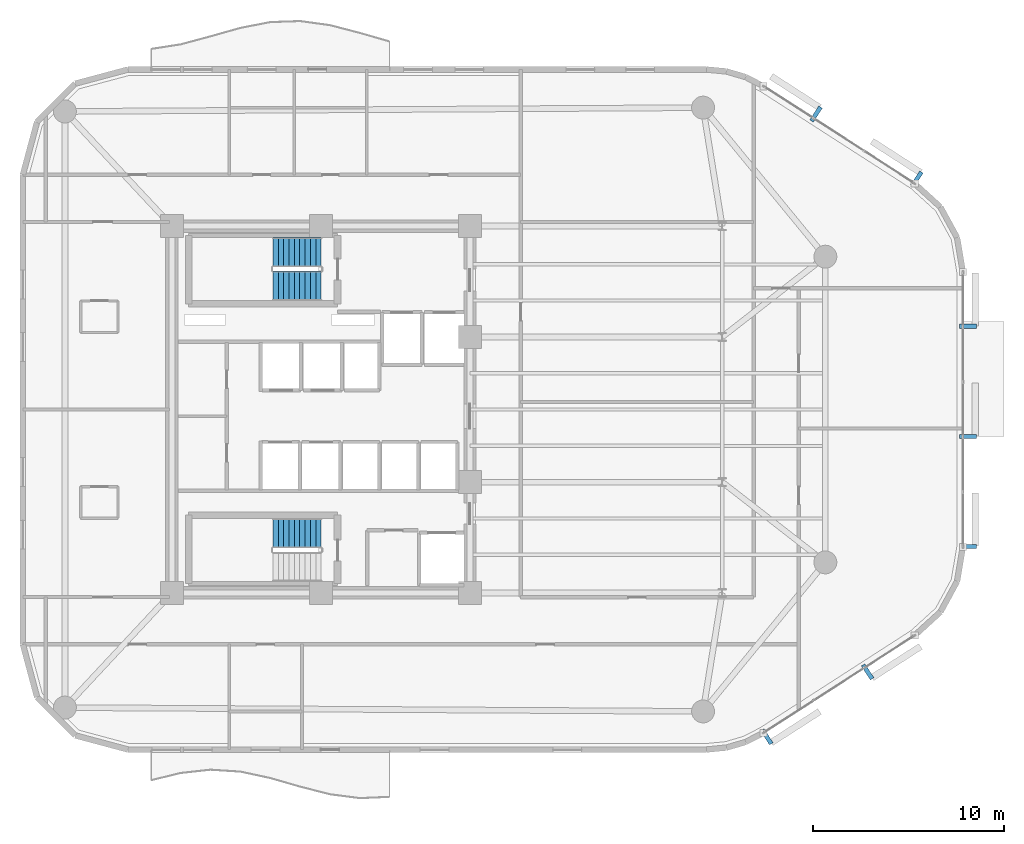
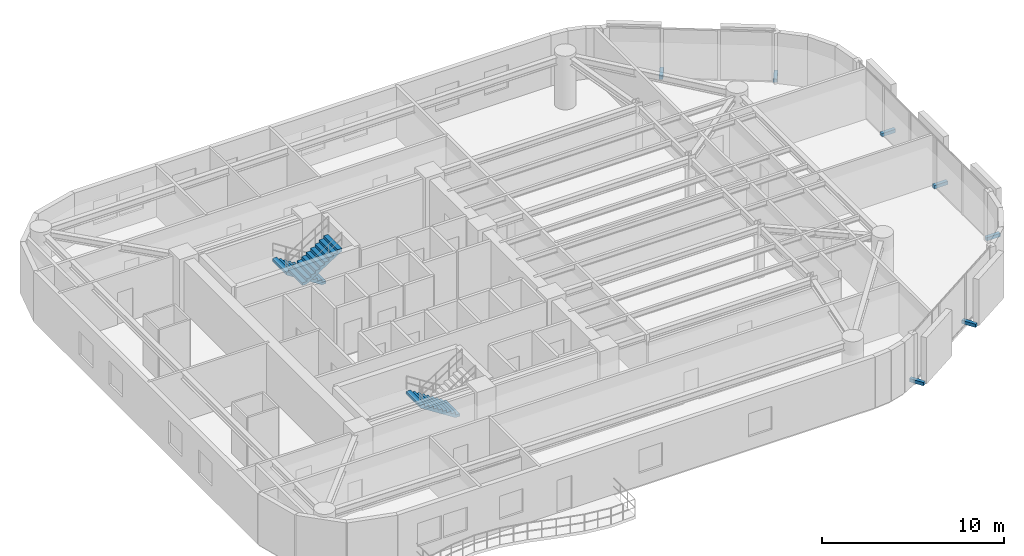
# One storey, part 13 of 15: 7 discrete accessories, 3 stair flights, 2 elements without a shape of their own.
"""IFC4 building model written with IfcOpenShell, lengths in metres."""

from ifc_helpers import new_model, si_unit, direction, frame, origin, origin_2d, place, context, subcontext, project, spatial, polyline, rectangle, outline, extrude, material, type_object, element, aggregate, save


model = new_model("IFC4")

# Units and contexts
model_context = context("Model", 3, precision=1e-05, world=origin(), true_north=direction((0.0, 1.0)))
body_context = subcontext(model_context, "Body", "Model", "MODEL_VIEW")
ifc_project = project(units=[si_unit("LENGTHUNIT", "METRE"), si_unit("AREAUNIT", "SQUARE_METRE"), si_unit("VOLUMEUNIT", "CUBIC_METRE"), si_unit("PLANEANGLEUNIT", "RADIAN"), si_unit("MASSUNIT", "GRAM", prefix="KILO")], contexts=[model_context])

# Site, building, storey
site_placement = place(None, origin())
site = spatial("IfcSite", under=ifc_project, at=site_placement, CompositionType="ELEMENT")
building_placement = place(site_placement, origin())
building = spatial("IfcBuilding", under=site, at=building_placement, Name="An Khanh Terracotta Commons", CompositionType="ELEMENT")
storey_placement = place(building_placement, frame((0.0, 0.0, 165.39990234375)))
storey = spatial("IfcBuildingStorey", under=building, at=storey_placement, Name="L43", CompositionType="ELEMENT", Elevation=165.39990234375)

# Stair, stair flights
ifc_material_1 = material(Name="Precast concrete C40/50", Category="concrete")
stair_type = type_object("IfcStairType", Name="STAIR-CORE-1550", PredefinedType="HALF_TURN_STAIR", material=ifc_material_1)
stair_1_placement = place(storey_placement, origin())
stair_1 = element("IfcStair", 1, at=stair_1_placement, inside=storey, type_object=stair_type, Name="L43 Core Smokeproof Exit Stair ST-01", PredefinedType="HALF_TURN_STAIR")
stair_flight_type = type_object("IfcStairFlightType", Name="FLIGHT-CORE-1550", PredefinedType="STRAIGHT", material=ifc_material_1)
stair_flight_1_placement = place(storey_placement, frame((29.409912109375, 32.22509765625, 0.0), z_axis=(0.0, 0.0, 1.0), x_axis=(-1.0, 0.0, 0.0)))
stair_flight_1 = element("IfcStairFlight", 2, at=stair_flight_1_placement, type_object=stair_flight_type, Name="ST-01 flight 1", NumberOfRisers=10, NumberOfTreads=9, PredefinedType="STRAIGHT", RiserHeight=0.18, TreadLength=0.28, context=body_context, shape_type="SweptSolid", body=[
    extrude(outline(polyline([(0.0, 0.0), (0.0, 0.179931640625), (0.280029296875, 0.179931640625), (0.280029296875, 0.360107421875), (0.56005859375, 0.360107421875), (0.56005859375, 0.5400390625), (0.840087890625, 0.5400390625), (0.840087890625, 0.719970703125), (1.1201171875, 0.719970703125), (1.1201171875, 0.89990234375), (1.39990234375, 0.89990234375), (1.39990234375, 1.080078125), (1.679931640625, 1.080078125), (1.679931640625, 1.260009765625), (1.9599609375, 1.260009765625), (1.9599609375, 1.43994140625), (2.239990234375, 1.43994140625), (2.239990234375, 1.6201171875), (2.52001953125, 1.6201171875), (2.52001953125, 1.800048828125), (2.52001953125, 1.44189453125), (0.277099609375, 0.0), (0.0, 0.0)])), frame((0.0, 0.77490234375, 0.0), z_axis=(0.0, -1.0, 0.0), x_axis=(1.0, 0.0, 0.0)), (0.0, 0.0, 1.0), 1.550048828125),
])
stair_flight_2_placement = place(storey_placement, frame((26.889892578125, 30.47509765625, 1.800048828125), z_axis=(0.0, 0.0, 1.0), x_axis=(1.0, 0.0, 0.0)))
stair_flight_2 = element("IfcStairFlight", 3, at=stair_flight_2_placement, type_object=stair_flight_type, Name="ST-01 flight 2", NumberOfRisers=10, NumberOfTreads=9, PredefinedType="STRAIGHT", RiserHeight=0.18, TreadLength=0.28, context=body_context, shape_type="SweptSolid", body=[
    extrude(outline(polyline([(0.0, 0.0), (0.0, 0.179931640625), (0.280029296875, 0.179931640625), (0.280029296875, 0.360107421875), (0.56005859375, 0.360107421875), (0.56005859375, 0.5400390625), (0.840087890625, 0.5400390625), (0.840087890625, 0.719970703125), (1.1201171875, 0.719970703125), (1.1201171875, 0.89990234375), (1.39990234375, 0.89990234375), (1.39990234375, 1.080078125), (1.679931640625, 1.080078125), (1.679931640625, 1.260009765625), (1.9599609375, 1.260009765625), (1.9599609375, 1.43994140625), (2.239990234375, 1.43994140625), (2.239990234375, 1.6201171875), (2.52001953125, 1.6201171875), (2.52001953125, 1.800048828125), (2.52001953125, 1.44189453125), (0.277099609375, 0.0), (0.0, 0.0)])), frame((0.0, 0.77490234375, 0.0), z_axis=(0.0, -1.0, 0.0), x_axis=(1.0, 0.0, 0.0)), (0.0, 0.0, 1.0), 1.550048828125),
])
aggregate(stair_1, [stair_flight_1, stair_flight_2])

# Stair, stair flight
stair_2_placement = place(storey_placement, origin())
stair_2 = element("IfcStair", 4, at=stair_2_placement, inside=storey, type_object=stair_type, Name="L43 Core Smokeproof Exit Stair ST-02", PredefinedType="HALF_TURN_STAIR")
stair_flight_3_placement = place(storey_placement, frame((29.409912109375, 17.52490234375, 0.0), z_axis=(0.0, 0.0, 1.0), x_axis=(-1.0, 0.0, 0.0)))
stair_flight_3 = element("IfcStairFlight", 5, at=stair_flight_3_placement, type_object=stair_flight_type, Name="ST-02 flight 1", NumberOfRisers=10, NumberOfTreads=9, PredefinedType="STRAIGHT", RiserHeight=0.18, TreadLength=0.28, context=body_context, shape_type="SweptSolid", body=[
    extrude(outline(polyline([(0.0, 0.0), (0.0, 0.179931640625), (0.280029296875, 0.179931640625), (0.280029296875, 0.360107421875), (0.56005859375, 0.360107421875), (0.56005859375, 0.5400390625), (0.840087890625, 0.5400390625), (0.840087890625, 0.719970703125), (1.1201171875, 0.719970703125), (1.1201171875, 0.89990234375), (1.39990234375, 0.89990234375), (1.39990234375, 1.080078125), (1.679931640625, 1.080078125), (1.679931640625, 1.260009765625), (1.9599609375, 1.260009765625), (1.9599609375, 1.43994140625), (2.239990234375, 1.43994140625), (2.239990234375, 1.6201171875), (2.52001953125, 1.6201171875), (2.52001953125, 1.800048828125), (2.52001953125, 1.44189453125), (0.277099609375, 0.0), (0.0, 0.0)])), frame((0.0, 0.77490234375, 0.0), z_axis=(0.0, -1.0, 0.0), x_axis=(1.0, 0.0, 0.0)), (0.0, 0.0, 1.0), 1.550048828125),
])
aggregate(stair_2, [stair_flight_3])

# Discrete accessories
ifc_material_2 = material(Name="Stainless Steel Grade 316L", Category="steel")
discrete_accessory_type = type_object("IfcDiscreteAccessoryType", Name="Stainless Outrigger Facade Bracket", PredefinedType="BRACKET", material=ifc_material_2)
for number, where, z_axis, x_axis, name in (
    (6, (52.73291015625, 6.8720703125, 0.0703125), (0.0, 0.0, 1.0), (0.840702081986, 0.541497931062, 0.0), "L43 Terracotta Screen Outrigger Bracket 1"),
    (7, (58.011962890625, 10.27197265625, 0.0703125), (0.0, 0.0, 1.0), (0.840702081986, 0.541497931062, 0.0), "L43 Terracotta Screen Outrigger Bracket 3"),
    (8, (63.264892578125, 16.8349609375, 0.0703125), (0.0, 0.0, 1.0), (0.0, 1.0, 0.0), "L43 Terracotta Screen Outrigger Bracket 1"),
    (9, (63.264892578125, 22.594970703125, 0.0703125), (0.0, 0.0, 1.0), (0.0, 1.0, 0.0), "L43 Terracotta Screen Outrigger Bracket 3"),
    (10, (63.264892578125, 28.35498046875, 0.0703125), (0.0, 0.0, 1.0), (0.0, 1.0, 0.0), "L43 Terracotta Screen Outrigger Bracket 5"),
    (11, (60.592041015625, 36.06591796875, 0.0703125), (0.0, 0.0, 1.0), (-0.840702081986, 0.541497931062, 0.0), "L43 Terracotta Screen Outrigger Bracket 1"),
    (12, (55.31298828125, 39.466064453125, 0.0703125), (0.0, 0.0, 1.0), (-0.840702081986, 0.541497931062, 0.0), "L43 Terracotta Screen Outrigger Bracket 3"),
):
    element("IfcDiscreteAccessory", number, at=place(storey_placement, frame(where, z_axis=z_axis, x_axis=x_axis)), inside=storey, type_object=discrete_accessory_type, Name=name, PredefinedType="BRACKET", context=body_context, shape_type="SweptSolid", body=[
        extrude(rectangle(XDim=0.219970703125, YDim=0.8701171875, at=origin_2d()), origin(), (0.0, 0.0, 1.0), 0.219970703125),
    ])

save(model, "model.ifc")
